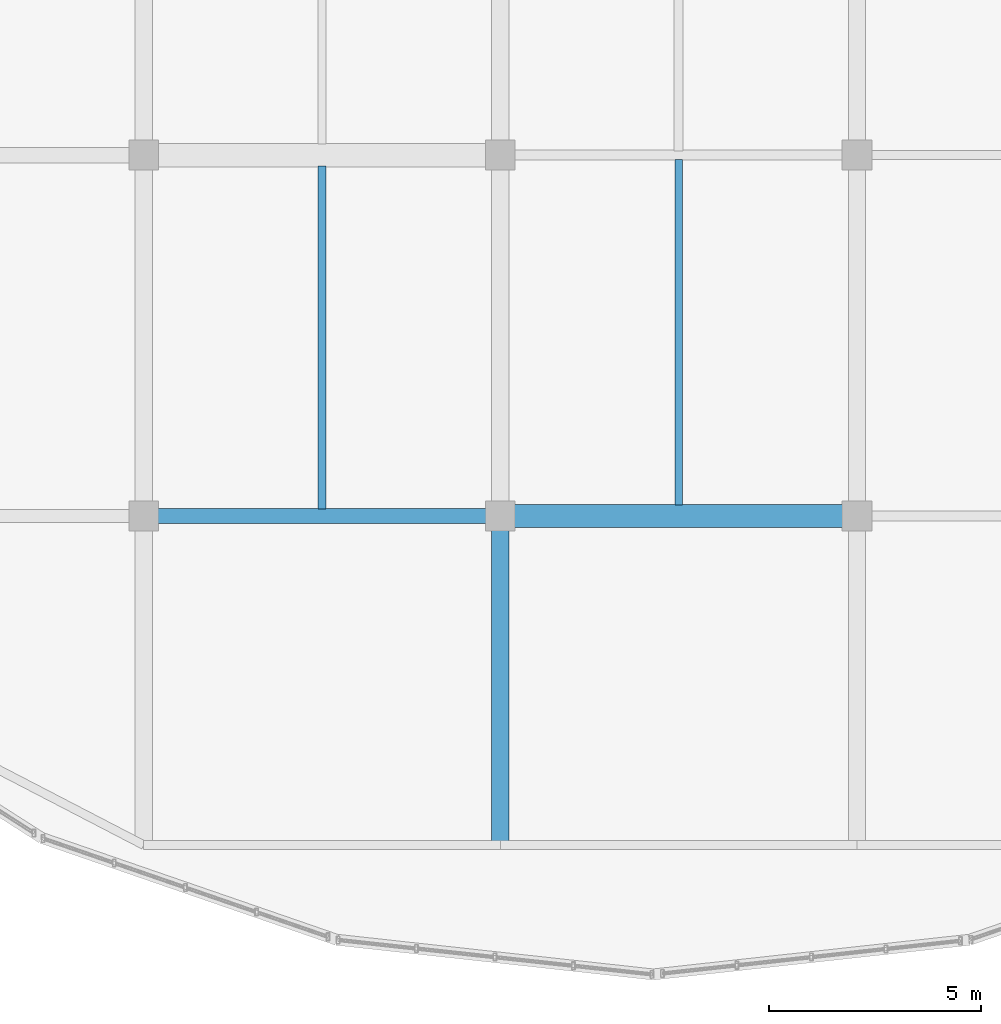
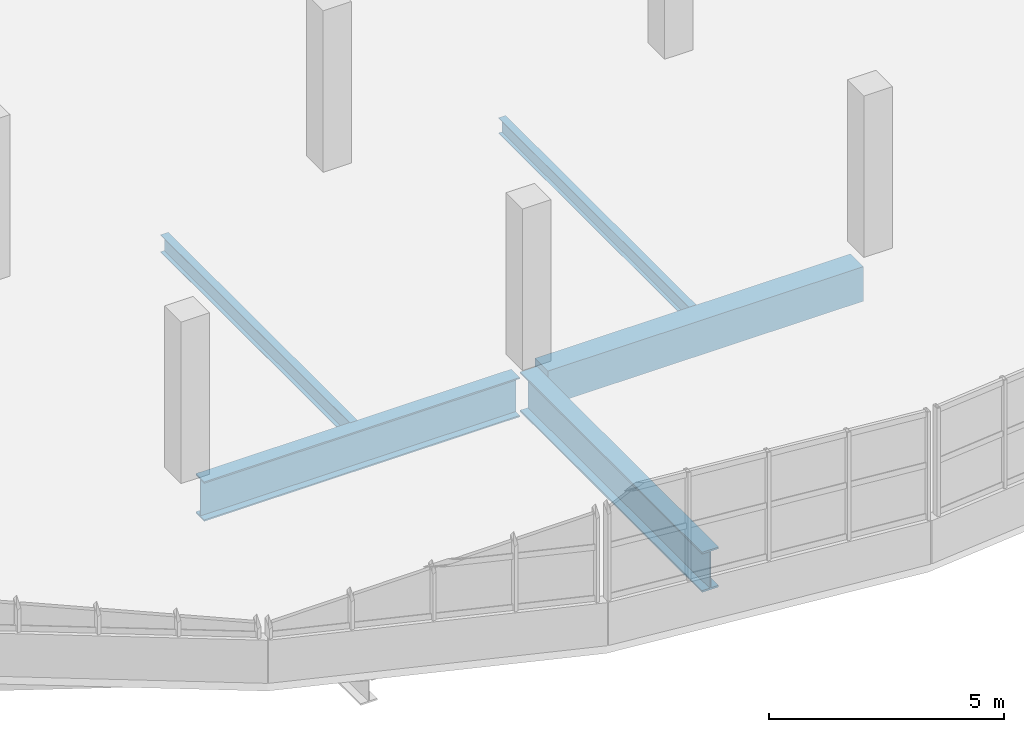
# One storey, part 8 of 52: 5 beams.
"""IFC4 building model written with IfcOpenShell, lengths in metres."""

from ifc_helpers import new_model, si_unit, direction, frame, origin, origin_2d, place, context, subcontext, project, spatial, rectangle, i_section, extrude, material, material_profile, profile_set, type_object, element, save


model = new_model("IFC4")

# Units and contexts
model_context = context("Model", 3, precision=1e-05, world=origin(), true_north=direction((0.0, 1.0)))
body_context = subcontext(model_context, "Body", "Model", "MODEL_VIEW")
ifc_project = project(units=[si_unit("LENGTHUNIT", "METRE"), si_unit("AREAUNIT", "SQUARE_METRE"), si_unit("VOLUMEUNIT", "CUBIC_METRE"), si_unit("PLANEANGLEUNIT", "RADIAN"), si_unit("MASSUNIT", "GRAM", prefix="KILO")], contexts=[model_context])

# Site, building, storey
site_placement = place(None, origin())
site = spatial("IfcSite", under=ifc_project, at=site_placement, CompositionType="ELEMENT")
building_placement = place(site_placement, origin())
building = spatial("IfcBuilding", under=site, at=building_placement, Name="Solvento Point Concert Hall", CompositionType="ELEMENT")
storey_placement = place(building_placement, frame((0.0, 0.0, 19.5)))
storey = spatial("IfcBuildingStorey", under=building, at=storey_placement, Name="L04", CompositionType="ELEMENT", Elevation=19.5)

# Beams
ifc_material_1 = material(Name="Structural Steel ASTM A992 Grade 50", Category="steel")
ifc_material_profile_1 = material_profile(ifc_material_1, i_section(OverallWidth=0.408935546875, OverallDepth=1.041015625, WebThickness=0.031005859375, FlangeThickness=0.04443359375, at=origin_2d()), Name="W40X397")
ifc_profile_set_1 = profile_set([ifc_material_profile_1], Name="Structural Steel ASTM A992 Grade 50")
beam_type_1 = type_object("IfcBeamType", Name="CantileverGirder_W40X397", PredefinedType="USERDEFINED", material=ifc_profile_set_1)
beam_1_placement = place(storey_placement, frame((57.60009765625, 17.0, -0.8154296875), z_axis=(0.0, -1.0, 0.0), x_axis=(1.0, 0.0, 0.0)))
element("IfcBeam", 1, at=beam_1_placement, inside=storey, type_object=beam_type_1, Name="Radial cantilever girder CG-01 L04", ObjectType="GIRDER", PredefinedType="USERDEFINED", context=body_context, shape_type="SweptSolid", body=[
    extrude(i_section(OverallWidth=0.408935546875, OverallDepth=1.041015625, WebThickness=0.031005859375, FlangeThickness=0.04443359375, at=origin_2d()), origin(), (0.0, 0.0, 1.0), 7.75),
])
ifc_material_2 = material(Name="Concrete C35/45", Category="concrete")
ifc_material_profile_2 = material_profile(ifc_material_2, rectangle(XDim=0.550048828125, YDim=0.89990234375, at=origin_2d()), Name="RC-BM-550X900")
ifc_profile_set_2 = profile_set([ifc_material_profile_2], Name="Concrete C35/45")
beam_type_2 = type_object("IfcBeamType", Name="Girder_RC_550x900", PredefinedType="USERDEFINED", material=ifc_profile_set_2)
beam_2_placement = place(storey_placement, frame((57.9189453125, 17.0, -0.743896484375), z_axis=(1.0, 0.0, 0.0), x_axis=(0.0, 1.0, 0.0)))
element("IfcBeam", 2, at=beam_2_placement, inside=storey, type_object=beam_type_2, Name="Primary girder B-39 L04", ObjectType="GIRDER", PredefinedType="USERDEFINED", context=body_context, shape_type="SweptSolid", body=[
    extrude(rectangle(XDim=0.550048828125, YDim=0.89990234375, at=origin_2d()), origin(), (0.0, 0.0, 1.0), 7.761962890625),
])
ifc_material_3 = material(Name="Structural Steel ASTM A992 Grade 50", Category="steel")
ifc_material_profile_3 = material_profile(ifc_material_3, i_section(OverallWidth=0.361083984375, OverallDepth=1.02587890625, WebThickness=0.01904296875, FlangeThickness=0.0361328125, at=origin_2d()), Name="W40X249")
ifc_profile_set_3 = profile_set([ifc_material_profile_3], Name="Structural Steel ASTM A992 Grade 50")
beam_type_3 = type_object("IfcBeamType", Name="Girder_W40X249", PredefinedType="USERDEFINED", material=ifc_profile_set_3)
beam_3_placement = place(storey_placement, frame((49.51904296875, 17.0, -0.806884765625), z_axis=(1.0, 0.0, 0.0), x_axis=(0.0, 1.0, 0.0)))
element("IfcBeam", 3, at=beam_3_placement, inside=storey, type_object=beam_type_3, Name="Primary girder B-29 L04", ObjectType="GIRDER", PredefinedType="USERDEFINED", context=body_context, shape_type="SweptSolid", body=[
    extrude(i_section(OverallWidth=0.361083984375, OverallDepth=1.02587890625, WebThickness=0.01904296875, FlangeThickness=0.0361328125, at=origin_2d()), origin(), (0.0, 0.0, 1.0), 7.761962890625),
])
ifc_material_4 = material(Name="Structural Steel ASTM A992 Grade 50", Category="steel")
ifc_material_profile_4 = material_profile(ifc_material_4, i_section(OverallWidth=0.177490234375, OverallDepth=0.403076171875, WebThickness=0.007568359375, FlangeThickness=0.010986328125, at=origin_2d()), Name="W16X36")
ifc_profile_set_4 = profile_set([ifc_material_profile_4], Name="Structural Steel ASTM A992 Grade 50")
beam_type_4 = type_object("IfcBeamType", Name="Joist_W16X36", PredefinedType="JOIST", material=ifc_profile_set_4)
beam_4_placement = place(storey_placement, frame((61.800048828125, 17.260009765625, -0.49560546875), z_axis=(0.0, 1.0, 0.0), x_axis=(-1.0, 0.0, 0.0)))
element("IfcBeam", 4, at=beam_4_placement, inside=storey, type_object=beam_type_4, Name="Secondary floor joist B-30 L04", PredefinedType="JOIST", context=body_context, shape_type="SweptSolid", body=[
    extrude(i_section(OverallWidth=0.177490234375, OverallDepth=0.403076171875, WebThickness=0.007568359375, FlangeThickness=0.010986328125, at=origin_2d()), origin(), (0.0, 0.0, 1.0), 8.140869140625),
])
ifc_material_5 = material(Name="Structural Steel ASTM A992 Grade 50", Category="steel")
ifc_material_profile_5 = material_profile(ifc_material_5, i_section(OverallWidth=0.1904296875, OverallDepth=0.45703125, WebThickness=0.009033203125, FlangeThickness=0.014404296875, at=origin_2d()), Name="W18X50")
ifc_profile_set_5 = profile_set([ifc_material_profile_5], Name="Structural Steel ASTM A992 Grade 50")
beam_type_5 = type_object("IfcBeamType", Name="Joist_W18X50", PredefinedType="JOIST", material=ifc_profile_set_5)
beam_5_placement = place(storey_placement, frame((53.39990234375, 17.16552734375, -0.5224609375), z_axis=(0.0, 1.0, 0.0), x_axis=(-1.0, 0.0, 0.0)))
element("IfcBeam", 5, at=beam_5_placement, inside=storey, type_object=beam_type_5, Name="Secondary floor joist B-66 L04", PredefinedType="JOIST", context=body_context, shape_type="SweptSolid", body=[
    extrude(i_section(OverallWidth=0.1904296875, OverallDepth=0.45703125, WebThickness=0.009033203125, FlangeThickness=0.014404296875, at=origin_2d()), origin(), (0.0, 0.0, 1.0), 8.074462890625),
])

save(model, "model.ifc")
